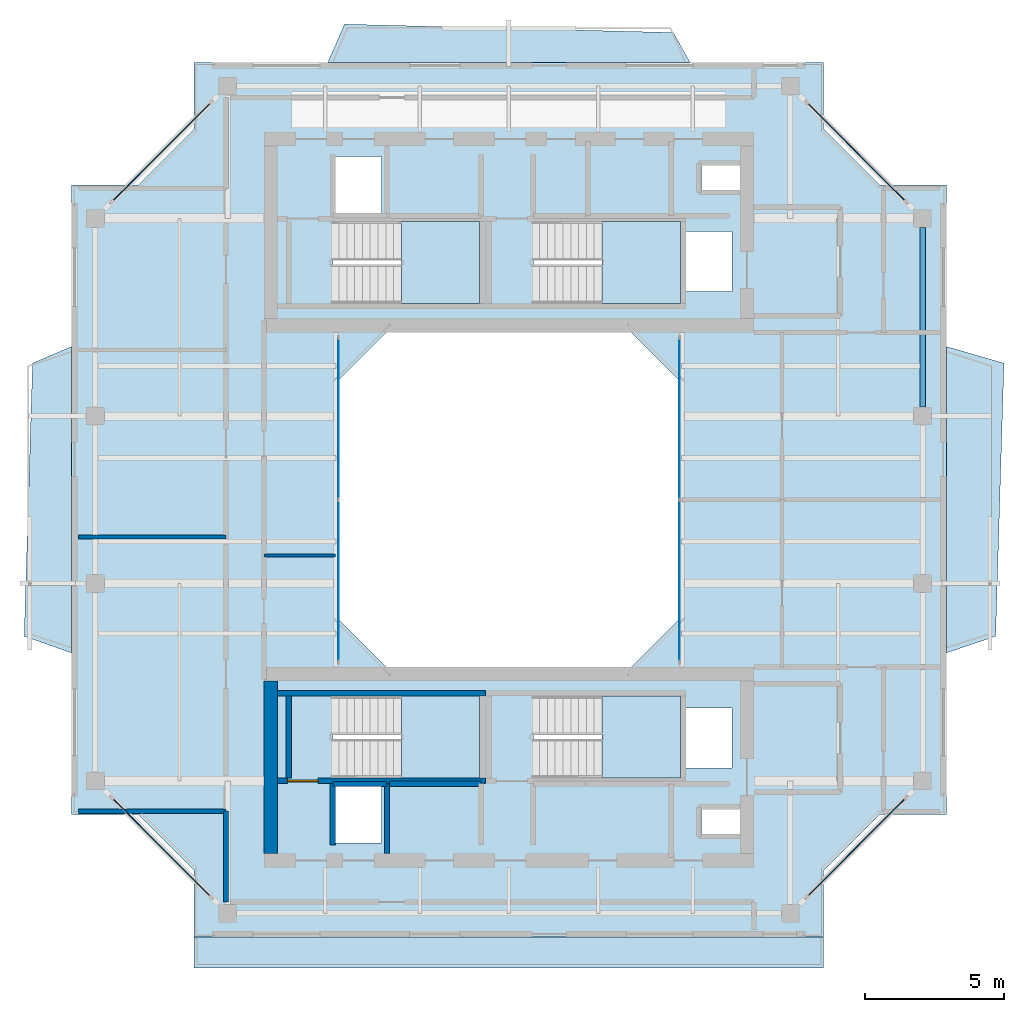
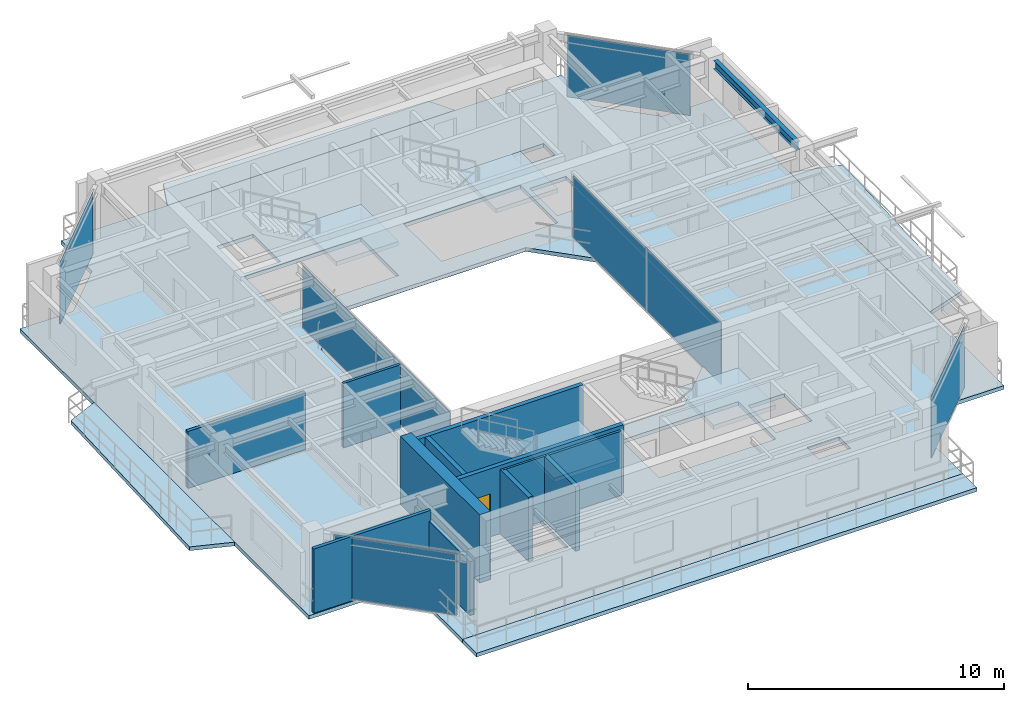
# One storey, part 8 of 15: 12 walls, 9 slabs, 8 plates, 1 beam, 1 door, 1 opening, 10 elements without a shape of their own.
"""IFC4 building model written with IfcOpenShell, lengths in metres."""

from ifc_helpers import new_model, si_unit, direction, frame, frame_2d, origin, origin_2d, place, context, subcontext, project, spatial, polyline, rectangle, i_section, outline, extrude, source, transform, mapped, material, layer, layer_set, material_profile, profile_set, type_object, element, fill, aggregate, save


model = new_model("IFC4")

# Units and contexts
model_context = context("Model", 3, precision=1e-05, world=origin(), true_north=direction((0.0, 1.0)))
body_context = subcontext(model_context, "Body", "Model", "MODEL_VIEW")
ifc_project = project(units=[si_unit("LENGTHUNIT", "METRE"), si_unit("AREAUNIT", "SQUARE_METRE"), si_unit("VOLUMEUNIT", "CUBIC_METRE"), si_unit("PLANEANGLEUNIT", "RADIAN"), si_unit("MASSUNIT", "GRAM", prefix="KILO"), si_unit("THERMODYNAMICTEMPERATUREUNIT", "KELVIN"), si_unit("POWERUNIT", "WATT")], contexts=[model_context])

# Site, building, storey
site_placement = place(None, origin())
site = spatial("IfcSite", under=ifc_project, at=site_placement, CompositionType="ELEMENT")
building_placement = place(site_placement, origin())
building = spatial("IfcBuilding", under=site, at=building_placement, Name="Qiaomeng Ring Towers", CompositionType="ELEMENT")
storey_placement = place(building_placement, frame((0.0, 0.0, 237.25)))
storey = spatial("IfcBuildingStorey", under=building, at=storey_placement, Name="L69", CompositionType="ELEMENT", Elevation=237.25)

# Beam
ifc_material_1 = material(Name="Steel Q355B", Category="steel")
ifc_material_profile = material_profile(ifc_material_1, i_section(OverallWidth=0.198974609375, OverallDepth=0.39599609375, WebThickness=0.007080078125, FlangeThickness=0.010986328125, FilletRadius=0.01611328125, at=origin_2d()), Name="HN 396x199x7x11")
ifc_profile_set = profile_set([ifc_material_profile], Name="Steel Q355B")
beam_type = type_object("IfcBeamType", Name="STR-BM-HN396", PredefinedType="SPANDREL", material=ifc_profile_set)
shared_shape_1 = source(origin(), body_context, "Body", "SweptSolid", [
    extrude(i_section(OverallWidth=0.198974609375, OverallDepth=0.39599609375, WebThickness=0.007080078125, FlangeThickness=0.010986328125, FilletRadius=0.01611328125, at=origin_2d()), origin(), (0.0, 0.0, 1.0), 6.451904296875),
])
beam_placement = place(storey_placement, frame((33.85009765625, 26.323974609375, 2.8720703125), z_axis=(0.0, 1.0, 0.0), x_axis=(-1.0, 0.0, 0.0)))
element("IfcBeam", 1, at=beam_placement, inside=storey, type_object=beam_type, Name="L69 beam STR-SP-L69-T1-E3-E4", PredefinedType="SPANDREL", context=body_context, shape_type="MappedRepresentation", body=[
    mapped(shared_shape_1, transform((0.0, 0.0, 0.0), x_axis=(1.0, 0.0, 0.0), y_axis=(0.0, 1.0, 0.0), z_axis=(0.0, 0.0, 1.0), scale=1.0)),
])

# Slabs
ifc_material_2 = material(Name="Concrete C40", Category="concrete")
ifc_layer_1 = layer(ifc_material_2, 0.179931640625, Name="Concrete C40")
ifc_layer_set_1 = layer_set([ifc_layer_1], Name="Concrete C40")
slab_type_1 = type_object("IfcSlabType", Name="STR-SL-180", PredefinedType="FLOOR", material=ifc_layer_set_1)
slab_1_placement = place(storey_placement, frame((0.0, 0.0, -0.179931640625)))
element("IfcSlab", 2, at=slab_1_placement, inside=storey, type_object=slab_type_1, Name="L69 Tower 1 Annular Floor Slab", PredefinedType="FLOOR", context=body_context, shape_type="SweptSolid", body=[
    extrude(outline(polyline([(7.699951171875, 7.300048828125), (30.300048828125, 7.300048828125), (30.300048828125, 9.699951171875), (32.300048828125, 11.699951171875), (34.699951171875, 11.699951171875), (34.699951171875, 34.300048828125), (32.300048828125, 34.300048828125), (30.300048828125, 36.300048828125), (30.300048828125, 38.699951171875), (7.699951171875, 38.699951171875), (7.699951171875, 36.300048828125), (5.699951171875, 34.300048828125), (3.300048828125, 34.300048828125), (3.300048828125, 11.699951171875), (5.699951171875, 11.699951171875), (7.699951171875, 9.699951171875), (7.699951171875, 7.300048828125)]), holes=[polyline([(12.780029296875, 10.679931640625), (12.780029296875, 12.820068359375), (14.419921875, 12.820068359375), (14.419921875, 10.679931640625), (12.780029296875, 10.679931640625)]), polyline([(12.679931640625, 13.010009765625), (12.679931640625, 15.949951171875), (17.949951171875, 15.949951171875), (17.949951171875, 13.010009765625), (12.679931640625, 13.010009765625)]), polyline([(23.199951171875, 29.199951171875), (25.199951171875, 27.199951171875), (25.199951171875, 18.800048828125), (23.199951171875, 16.800048828125), (14.800048828125, 16.800048828125), (12.800048828125, 18.800048828125), (12.800048828125, 27.199951171875), (14.800048828125, 29.199951171875), (23.199951171875, 29.199951171875)]), polyline([(12.679931640625, 32.989990234375), (17.949951171875, 32.989990234375), (17.949951171875, 30.050048828125), (12.679931640625, 30.050048828125), (12.679931640625, 32.989990234375)]), polyline([(19.8798828125, 32.989990234375), (25.14990234375, 32.989990234375), (25.14990234375, 30.050048828125), (19.8798828125, 30.050048828125), (19.8798828125, 32.989990234375)]), polyline([(12.780029296875, 33.179931640625), (12.780029296875, 35.320068359375), (14.419921875, 35.320068359375), (14.419921875, 33.179931640625), (12.780029296875, 33.179931640625)]), polyline([(25.919921875, 11.89990234375), (27.360107421875, 11.89990234375), (27.360107421875, 11.0), (25.919921875, 11.0), (25.919921875, 11.89990234375)]), polyline([(25.360107421875, 15.52001953125), (27.0, 15.52001953125), (27.0, 13.3798828125), (25.360107421875, 13.3798828125), (25.360107421875, 15.52001953125)]), polyline([(19.8798828125, 13.010009765625), (19.8798828125, 15.949951171875), (25.14990234375, 15.949951171875), (25.14990234375, 13.010009765625), (19.8798828125, 13.010009765625)]), polyline([(25.360107421875, 32.6201171875), (27.0, 32.6201171875), (27.0, 30.47998046875), (25.360107421875, 30.47998046875), (25.360107421875, 32.6201171875)]), polyline([(25.919921875, 35.0), (27.360107421875, 35.0), (27.360107421875, 34.10009765625), (25.919921875, 34.10009765625), (25.919921875, 35.0)])]), origin(), (0.0, 0.0, 1.0), 0.179931640625),
])
ifc_layer_2 = layer(ifc_material_2, 0.179931640625, Name="Concrete C40")
ifc_layer_set_2 = layer_set([ifc_layer_2], Name="Concrete C40")
slab_type_2 = type_object("IfcSlabType", Name="STR-SL-BAL", PredefinedType="FLOOR", material=ifc_layer_set_2)
slab_2_placement = place(storey_placement, frame((0.0, 0.0, -0.179931640625)))
element("IfcSlab", 3, at=slab_2_placement, inside=storey, type_object=slab_type_2, Name="L69 Tower 1 E Faceted Balcony Slab", PredefinedType="FLOOR", context=body_context, shape_type="SweptSolid", body=[
    extrude(outline(polyline([(36.77001953125, 27.89990234375), (36.469970703125, 18.10009765625), (34.699951171875, 17.5), (34.699951171875, 28.5), (36.77001953125, 27.89990234375)])), origin(), (0.0, 0.0, 1.0), 0.179931640625),
])
slab_3_placement = place(storey_placement, frame((0.0, 0.0, -0.179931640625)))
element("IfcSlab", 4, at=slab_3_placement, inside=storey, type_object=slab_type_2, Name="L69 Tower 1 N Faceted Balcony Slab", PredefinedType="FLOOR", context=body_context, shape_type="SweptSolid", body=[
    extrude(outline(polyline([(12.5, 38.699951171875), (13.10009765625, 40.070068359375), (24.89990234375, 39.77001953125), (25.5, 38.699951171875), (12.5, 38.699951171875)])), origin(), (0.0, 0.0, 1.0), 0.179931640625),
])
slab_4_placement = place(storey_placement, frame((0.0, 0.0, -0.179931640625)))
element("IfcSlab", 5, at=slab_4_placement, inside=storey, type_object=slab_type_2, Name="L69 Tower 1 W Faceted Balcony Slab", PredefinedType="FLOOR", context=body_context, shape_type="SweptSolid", body=[
    extrude(outline(polyline([(1.60009765625, 18.10009765625), (1.89990234375, 27.89990234375), (3.300048828125, 28.5), (3.300048828125, 17.5), (1.60009765625, 18.10009765625)])), origin(), (0.0, 0.0, 1.0), 0.179931640625),
])

# Stair, slab
ifc_material_3 = material(Name="Precast concrete C40", Category="concrete")
stair_type = type_object("IfcStairType", Name="ARC-ST-325", PredefinedType="HALF_TURN_STAIR", material=ifc_material_3)
stair_1_placement = place(storey_placement, origin())
stair_1 = element("IfcStair", 6, at=stair_1_placement, inside=storey, type_object=stair_type, Name="L69 Tower 1 North Stair 1", PredefinedType="HALF_TURN_STAIR")
ifc_layer_3 = layer(ifc_material_2, 0.199951171875, Name="Concrete C40")
ifc_layer_set_3 = layer_set([ifc_layer_3], Name="Concrete C40")
slab_type_3 = type_object("IfcSlabType", Name="STR-SL-LANDING", PredefinedType="LANDING", material=ifc_layer_set_3)
slab_5_placement = place(storey_placement, frame((0.0, 0.0, 1.425048828125)))
slab_5 = element("IfcSlab", 7, at=slab_5_placement, type_object=slab_type_3, Name="ST1 landing 1", PredefinedType="LANDING", context=body_context, shape_type="SweptSolid", body=[
    extrude(outline(polyline([(15.139892578125, 30.050048828125), (17.949951171875, 30.050048828125), (17.949951171875, 32.989990234375), (15.139892578125, 32.989990234375), (15.139892578125, 30.050048828125)])), origin(), (0.0, 0.0, 1.0), 0.199951171875),
])
aggregate(stair_1, [slab_5])

stair_2_placement = place(storey_placement, origin())
stair_2 = element("IfcStair", 8, at=stair_2_placement, inside=storey, type_object=stair_type, Name="L69 Tower 1 North Stair 2", PredefinedType="HALF_TURN_STAIR")
slab_6_placement = place(storey_placement, frame((0.0, 0.0, 1.425048828125)))
slab_6 = element("IfcSlab", 9, at=slab_6_placement, type_object=slab_type_3, Name="ST2 landing 1", PredefinedType="LANDING", context=body_context, shape_type="SweptSolid", body=[
    extrude(outline(polyline([(22.340087890625, 30.050048828125), (25.14990234375, 30.050048828125), (25.14990234375, 32.989990234375), (22.340087890625, 32.989990234375), (22.340087890625, 30.050048828125)])), origin(), (0.0, 0.0, 1.0), 0.199951171875),
])
aggregate(stair_2, [slab_6])

stair_3_placement = place(storey_placement, origin())
stair_3 = element("IfcStair", 10, at=stair_3_placement, inside=storey, type_object=stair_type, Name="L69 Tower 1 South Stair 3", PredefinedType="HALF_TURN_STAIR")
slab_7_placement = place(storey_placement, frame((0.0, 0.0, 1.425048828125)))
slab_7 = element("IfcSlab", 11, at=slab_7_placement, type_object=slab_type_3, Name="ST3 landing 1", PredefinedType="LANDING", context=body_context, shape_type="SweptSolid", body=[
    extrude(outline(polyline([(15.139892578125, 13.010009765625), (17.949951171875, 13.010009765625), (17.949951171875, 15.949951171875), (15.139892578125, 15.949951171875), (15.139892578125, 13.010009765625)])), origin(), (0.0, 0.0, 1.0), 0.199951171875),
])
aggregate(stair_3, [slab_7])

stair_4_placement = place(storey_placement, origin())
stair_4 = element("IfcStair", 12, at=stair_4_placement, inside=storey, type_object=stair_type, Name="L69 Tower 1 South Stair 4", PredefinedType="HALF_TURN_STAIR")
slab_8_placement = place(storey_placement, frame((0.0, 0.0, 1.425048828125)))
slab_8 = element("IfcSlab", 13, at=slab_8_placement, type_object=slab_type_3, Name="ST4 landing 1", PredefinedType="LANDING", context=body_context, shape_type="SweptSolid", body=[
    extrude(outline(polyline([(22.340087890625, 13.010009765625), (25.14990234375, 13.010009765625), (25.14990234375, 15.949951171875), (22.340087890625, 15.949951171875), (22.340087890625, 13.010009765625)])), origin(), (0.0, 0.0, 1.0), 0.199951171875),
])
aggregate(stair_4, [slab_8])

# Slab
ifc_layer_4 = layer(ifc_material_2, 0.179931640625, Name="Concrete C40")
ifc_layer_set_4 = layer_set([ifc_layer_4], Name="Concrete C40")
slab_type_4 = type_object("IfcSlabType", Name="STR-SL-TERR180", PredefinedType="FLOOR", material=ifc_layer_set_4)
slab_9_placement = place(storey_placement, frame((0.0, 0.0, -0.179931640625)))
element("IfcSlab", 14, at=slab_9_placement, inside=storey, type_object=slab_type_4, Name="L69 Tower 1 Setback Sky Terrace Slab", PredefinedType="FLOOR", context=body_context, shape_type="SweptSolid", body=[
    extrude(outline(polyline([(30.300048828125, 7.300048828125), (30.300048828125, 6.199951171875), (7.699951171875, 6.199951171875), (7.699951171875, 7.300048828125), (30.300048828125, 7.300048828125), (30.300048828125, 7.300048828125), (30.300048828125, 7.300048828125)])), origin(), (0.0, 0.0, 1.0), 0.179931640625),
])

# Curtain wall, plates
ifc_material_4 = material(Name="Fluorocarbon dark-grey aluminium", Category="aluminium")
ifc_layer_5 = layer(ifc_material_4, 0.139892578125, Name="Fluorocarbon dark-grey aluminium")
ifc_layer_set_5 = layer_set([ifc_layer_5], Name="Fluorocarbon dark-grey aluminium")
curtain_wall_type_1 = type_object("IfcCurtainWallType", Name="ARC-CW-4", PredefinedType="NOTDEFINED", material=ifc_layer_set_5)
curtain_wall_1_placement = place(storey_placement, origin())
curtain_wall_1 = element("IfcCurtainWall", 15, at=curtain_wall_1_placement, inside=storey, type_object=curtain_wall_type_1, Name="L69 Curtain Wall CW4", PredefinedType="NOTDEFINED")
ifc_material_5 = material(Name="Low-E dark-grey laminated double glazing", Category="glass")
ifc_layer_6 = layer(ifc_material_5, 0.028076171875, Name="Low-E dark-grey laminated double glazing")
ifc_layer_set_6 = layer_set([ifc_layer_6], Name="Low-E dark-grey laminated double glazing")
plate_type = type_object("IfcPlateType", Name="ARC-CWP-DARK", PredefinedType="CURTAIN_PANEL", material=ifc_layer_set_6)
shared_shape_2 = source(origin(), body_context, "Body", "SweptSolid", [
    extrude(rectangle(XDim=5.75244140625, YDim=0.028076171875, at=origin_2d()), origin(), (0.0, 0.0, 1.0), 2.93994140625),
])
plate_1_placement = place(storey_placement, frame((12.8798828125, 20.09130859375, 0.06494140625), z_axis=(0.0, 0.0, 1.0), x_axis=(0.0, 1.0, 0.0)))
plate_1 = element("IfcPlate", 16, at=plate_1_placement, type_object=plate_type, Name="CW4 panel 1.1", PredefinedType="CURTAIN_PANEL", context=body_context, shape_type="MappedRepresentation", body=[
    mapped(shared_shape_2, transform((0.0, 0.0, 0.0), x_axis=(1.0, 0.0, 0.0), y_axis=(0.0, 1.0, 0.0), z_axis=(0.0, 0.0, 1.0), scale=1.0)),
])
plate_2_placement = place(storey_placement, frame((12.8798828125, 25.90869140625, 0.06494140625), z_axis=(0.0, 0.0, 1.0), x_axis=(0.0, 1.0, 0.0)))
plate_2 = element("IfcPlate", 17, at=plate_2_placement, type_object=plate_type, Name="CW4 panel 2.1", PredefinedType="CURTAIN_PANEL", context=body_context, shape_type="MappedRepresentation", body=[
    mapped(shared_shape_2, transform((0.0, 0.0, 0.0), x_axis=(1.0, 0.0, 0.0), y_axis=(0.0, 1.0, 0.0), z_axis=(0.0, 0.0, 1.0), scale=1.0)),
])
aggregate(curtain_wall_1, [plate_1, plate_2])

curtain_wall_2_placement = place(storey_placement, origin())
curtain_wall_2 = element("IfcCurtainWall", 18, at=curtain_wall_2_placement, inside=storey, type_object=curtain_wall_type_1, Name="L69 Curtain Wall CW4", PredefinedType="NOTDEFINED")
plate_3_placement = place(storey_placement, frame((25.1201171875, 20.09130859375, 0.06494140625), z_axis=(0.0, 0.0, 1.0), x_axis=(0.0, 1.0, 0.0)))
plate_3 = element("IfcPlate", 19, at=plate_3_placement, type_object=plate_type, Name="CW4 panel 1.1", PredefinedType="CURTAIN_PANEL", context=body_context, shape_type="MappedRepresentation", body=[
    mapped(shared_shape_2, transform((0.0, 0.0, 0.0), x_axis=(1.0, 0.0, 0.0), y_axis=(0.0, 1.0, 0.0), z_axis=(0.0, 0.0, 1.0), scale=1.0)),
])
plate_4_placement = place(storey_placement, frame((25.1201171875, 25.90869140625, 0.06494140625), z_axis=(0.0, 0.0, 1.0), x_axis=(0.0, 1.0, 0.0)))
plate_4 = element("IfcPlate", 20, at=plate_4_placement, type_object=plate_type, Name="CW4 panel 2.1", PredefinedType="CURTAIN_PANEL", context=body_context, shape_type="MappedRepresentation", body=[
    mapped(shared_shape_2, transform((0.0, 0.0, 0.0), x_axis=(1.0, 0.0, 0.0), y_axis=(0.0, 1.0, 0.0), z_axis=(0.0, 0.0, 1.0), scale=1.0)),
])
aggregate(curtain_wall_2, [plate_3, plate_4])

# Curtain wall, plate
ifc_layer_7 = layer(ifc_material_4, 0.14990234375, Name="Fluorocarbon dark-grey aluminium")
ifc_layer_set_7 = layer_set([ifc_layer_7], Name="Fluorocarbon dark-grey aluminium")
curtain_wall_type_2 = type_object("IfcCurtainWallType", Name="ARC-CW-3", PredefinedType="NOTDEFINED", material=ifc_layer_set_7)
curtain_wall_3_placement = place(storey_placement, origin())
curtain_wall_3 = element("IfcCurtainWall", 21, at=curtain_wall_3_placement, inside=storey, type_object=curtain_wall_type_2, Name="L69 Curtain Wall CW3", PredefinedType="NOTDEFINED")
shared_shape_3 = source(origin(), body_context, "Body", "SweptSolid", [
    extrude(rectangle(XDim=4.9794921875, YDim=0.028076171875, at=origin_2d()), origin(), (0.0, 0.0, 1.0), 2.93994140625),
])
plate_5_placement = place(storey_placement, frame((31.47509765625, 10.52490234375, 0.06494140625), z_axis=(0.0, 0.0, 1.0), x_axis=(0.707106781187, 0.707106781187, 0.0)))
plate_5 = element("IfcPlate", 22, at=plate_5_placement, type_object=plate_type, Name="CW3 panel 1.1", PredefinedType="CURTAIN_PANEL", context=body_context, shape_type="MappedRepresentation", body=[
    mapped(shared_shape_3, transform((0.0, 0.0, 0.0), x_axis=(1.0, 0.0, 0.0), y_axis=(0.0, 1.0, 0.0), z_axis=(0.0, 0.0, 1.0), scale=1.0)),
])
aggregate(curtain_wall_3, [plate_5])

curtain_wall_4_placement = place(storey_placement, origin())
curtain_wall_4 = element("IfcCurtainWall", 23, at=curtain_wall_4_placement, inside=storey, type_object=curtain_wall_type_2, Name="L69 Curtain Wall CW3", PredefinedType="NOTDEFINED")
plate_6_placement = place(storey_placement, frame((31.47509765625, 35.47509765625, 0.06494140625), z_axis=(0.0, 0.0, 1.0), x_axis=(-0.707106781187, 0.707106781187, 0.0)))
plate_6 = element("IfcPlate", 24, at=plate_6_placement, type_object=plate_type, Name="CW3 panel 1.1", PredefinedType="CURTAIN_PANEL", context=body_context, shape_type="MappedRepresentation", body=[
    mapped(shared_shape_3, transform((0.0, 0.0, 0.0), x_axis=(1.0, 0.0, 0.0), y_axis=(0.0, 1.0, 0.0), z_axis=(0.0, 0.0, 1.0), scale=1.0)),
])
aggregate(curtain_wall_4, [plate_6])

curtain_wall_5_placement = place(storey_placement, origin())
curtain_wall_5 = element("IfcCurtainWall", 25, at=curtain_wall_5_placement, inside=storey, type_object=curtain_wall_type_2, Name="L69 Curtain Wall CW3", PredefinedType="NOTDEFINED")
plate_7_placement = place(storey_placement, frame((6.52490234375, 35.47509765625, 0.06494140625), z_axis=(0.0, 0.0, 1.0), x_axis=(-0.707106781187, -0.707106781187, 0.0)))
plate_7 = element("IfcPlate", 26, at=plate_7_placement, type_object=plate_type, Name="CW3 panel 1.1", PredefinedType="CURTAIN_PANEL", context=body_context, shape_type="MappedRepresentation", body=[
    mapped(shared_shape_3, transform((0.0, 0.0, 0.0), x_axis=(1.0, 0.0, 0.0), y_axis=(0.0, 1.0, 0.0), z_axis=(0.0, 0.0, 1.0), scale=1.0)),
])
aggregate(curtain_wall_5, [plate_7])

curtain_wall_6_placement = place(storey_placement, origin())
curtain_wall_6 = element("IfcCurtainWall", 27, at=curtain_wall_6_placement, inside=storey, type_object=curtain_wall_type_2, Name="L69 Curtain Wall CW3", PredefinedType="NOTDEFINED")
plate_8_placement = place(storey_placement, frame((6.52490234375, 10.52490234375, 0.06494140625), z_axis=(0.0, 0.0, 1.0), x_axis=(0.707106781187, -0.707106781187, 0.0)))
plate_8 = element("IfcPlate", 28, at=plate_8_placement, type_object=plate_type, Name="CW3 panel 1.1", PredefinedType="CURTAIN_PANEL", context=body_context, shape_type="MappedRepresentation", body=[
    mapped(shared_shape_3, transform((0.0, 0.0, 0.0), x_axis=(1.0, 0.0, 0.0), y_axis=(0.0, 1.0, 0.0), z_axis=(0.0, 0.0, 1.0), scale=1.0)),
])
aggregate(curtain_wall_6, [plate_8])

# Walls
ifc_material_6 = material(Name="Autoclaved aerated concrete block", Category="concrete")
ifc_layer_8 = layer(ifc_material_6, 0.199951171875, Name="Autoclaved aerated concrete block")
ifc_layer_set_8 = layer_set([ifc_layer_8], Name="Autoclaved aerated concrete block")
wall_type_1 = type_object("IfcWallType", Name="ARC-WL-PW1", PredefinedType="PARTITIONING", material=ifc_layer_set_8)
wall_1_placement = place(storey_placement, frame((12.679931640625, 10.60009765625, 0.0), z_axis=(0.0, 0.0, 1.0), x_axis=(0.0, 1.0, 0.0)))
element("IfcWall", 29, at=wall_1_placement, inside=storey, type_object=wall_type_1, Name="L69 Interior Wall PW1", PredefinedType="PARTITIONING", context=body_context, shape_type="SweptSolid", body=[
    extrude(rectangle(XDim=2.2099609375, YDim=0.199951171875, at=frame_2d((1.10498046875, 0.0))), origin(), (0.0, 0.0, 1.0), 3.070068359375),
])
wall_2_placement = place(storey_placement, frame((14.719970703125, 12.800048828125, 0.0), z_axis=(0.0, 0.0, 1.0), x_axis=(1.0, 0.0, 0.0)))
element("IfcWall", 30, at=wall_2_placement, inside=storey, type_object=wall_type_1, Name="L69 Interior Wall PW1", PredefinedType="PARTITIONING", context=body_context, shape_type="SweptSolid", body=[
    extrude(rectangle(XDim=3.280029296875, YDim=0.199951171875, at=frame_2d((1.64013671875, 0.0))), origin(), (0.0, 0.0, 1.0), 3.070068359375),
])
ifc_layer_9 = layer(ifc_material_6, 0.179931640625, Name="Autoclaved aerated concrete block")
ifc_layer_set_9 = layer_set([ifc_layer_9], Name="Autoclaved aerated concrete block")
wall_type_2 = type_object("IfcWallType", Name="ARC-WL-PW2", PredefinedType="PARTITIONING", material=ifc_layer_set_9)
wall_3_placement = place(storey_placement, frame((8.85009765625, 8.56005859375, 0.0), z_axis=(0.0, 0.0, 1.0), x_axis=(0.0, 1.0, 0.0)))
element("IfcWall", 31, at=wall_3_placement, inside=storey, type_object=wall_type_2, Name="L69 Interior Wall PW2", PredefinedType="PARTITIONING", context=body_context, shape_type="SweptSolid", body=[
    extrude(rectangle(XDim=3.260009765625, YDim=0.179931640625, at=frame_2d((1.6298828125, 0.0))), origin(), (0.0, 0.0, 1.0), 2.569091796875),
])
ifc_material_7 = material(Name="Gypsum fireboard steel-stud partition", Category="steel")
ifc_layer_10 = layer(ifc_material_7, 0.14990234375, Name="Gypsum fireboard steel-stud partition")
ifc_layer_set_10 = layer_set([ifc_layer_10], Name="Gypsum fireboard steel-stud partition")
wall_type_3 = type_object("IfcWallType", Name="ARC-WL-PW3", PredefinedType="PARTITIONING", material=ifc_layer_set_10)
wall_4_placement = place(storey_placement, frame((3.550048828125, 11.820068359375, 0.0), z_axis=(0.0, 0.0, 1.0), x_axis=(1.0, 0.0, 0.0)))
element("IfcWall", 32, at=wall_4_placement, inside=storey, type_object=wall_type_3, Name="L69 Interior Wall PW3", PredefinedType="PARTITIONING", context=body_context, shape_type="SweptSolid", body=[
    extrude(rectangle(XDim=5.300048828125, YDim=0.14990234375, at=frame_2d((2.64990234375, 0.0))), origin(), (0.0, 0.0, 1.0), 3.070068359375),
])
wall_5_placement = place(storey_placement, frame((3.550048828125, 21.659912109375, 0.0), z_axis=(0.0, 0.0, 1.0), x_axis=(1.0, 0.0, 0.0)))
element("IfcWall", 33, at=wall_5_placement, inside=storey, type_object=wall_type_3, Name="L69 Interior Wall PW3", PredefinedType="PARTITIONING", context=body_context, shape_type="SweptSolid", body=[
    extrude(rectangle(XDim=5.300048828125, YDim=0.14990234375, at=frame_2d((2.64990234375, 0.0))), origin(), (0.0, 0.0, 1.0), 2.715087890625),
])
ifc_material_8 = material(Name="Moisture-resistant gypsum steel-stud partition", Category="steel")
ifc_layer_11 = layer(ifc_material_8, 0.1201171875, Name="Moisture-resistant gypsum steel-stud partition")
ifc_layer_set_11 = layer_set([ifc_layer_11], Name="Moisture-resistant gypsum steel-stud partition")
wall_type_4 = type_object("IfcWallType", Name="ARC-WL-PW4", PredefinedType="PLUMBINGWALL", material=ifc_layer_set_11)
wall_6_placement = place(storey_placement, frame((10.199951171875, 21.0, 0.0), z_axis=(0.0, 0.0, 1.0), x_axis=(1.0, 0.0, 0.0)))
element("IfcWall", 34, at=wall_6_placement, inside=storey, type_object=wall_type_4, Name="L69 Interior Wall PW4", PredefinedType="PLUMBINGWALL", context=body_context, shape_type="SweptSolid", body=[
    extrude(rectangle(XDim=2.580078125, YDim=0.1201171875, at=frame_2d((1.2900390625, 0.0))), origin(), (0.0, 0.0, 1.0), 3.070068359375),
])
ifc_layer_12 = layer(ifc_material_2, 0.199951171875, Name="Concrete C40")
ifc_layer_set_12 = layer_set([ifc_layer_12], Name="Concrete C40")
wall_type_5 = type_object("IfcWallType", Name="STR-WL-STSHAFT", PredefinedType="SHEAR", material=ifc_layer_set_12)
wall_7_placement = place(storey_placement, frame((12.679931640625, 12.800048828125, 0.0), z_axis=(0.0, 0.0, 1.0), x_axis=(1.0, 0.0, 0.0)))
element("IfcWall", 35, at=wall_7_placement, inside=storey, type_object=wall_type_5, Name="L69 Lift LP6 Shaft Back Wall", PredefinedType="SHEAR", context=body_context, shape_type="SweptSolid", body=[
    extrude(rectangle(XDim=1.940185546875, YDim=0.179931640625, at=frame_2d((0.97021484375, 0.0))), origin(), (0.0, 0.0, 1.0), 3.070068359375),
])
wall_8_placement = place(storey_placement, frame((14.6201171875, 10.300048828125, 0.0), z_axis=(0.0, 0.0, 1.0), x_axis=(0.0, 1.0, 0.0)))
element("IfcWall", 36, at=wall_8_placement, inside=storey, type_object=wall_type_5, Name="L69 Lift LP6-LP4 Shaft Divider Wall", PredefinedType="SHEAR", context=body_context, shape_type="SweptSolid", body=[
    extrude(rectangle(XDim=2.5, YDim=0.179931640625, at=frame_2d((1.25, 0.0))), origin(), (0.0, 0.0, 1.0), 3.070068359375),
])

# Wall, opening, door
wall_9_placement = place(storey_placement, frame((10.699951171875, 12.909912109375, 0.0), z_axis=(0.0, 0.0, 1.0), x_axis=(1.0, 0.0, 0.0)))
wall_9 = element("IfcWall", 37, at=wall_9_placement, inside=storey, type_object=wall_type_5, Name="L69 Stair ST3 South Shaft Shear Wall", PredefinedType="SHEAR", context=body_context, shape_type="SweptSolid", body=[
    extrude(rectangle(XDim=7.449951171875, YDim=0.199951171875, at=frame_2d((3.72509765625, 0.0))), origin(), (0.0, 0.0, 1.0), 3.25),
])
opening_placement = place(wall_9_placement, frame((0.35009765625, 0.0, 0.0)))
opening = element("IfcOpeningElement", 38, at=opening_placement, cuts=wall_9, Name="Opening FD3", PredefinedType="OPENING", context=body_context, shape_type="SweptSolid", body=[
    extrude(rectangle(XDim=1.10009765625, YDim=2.050048828125, at=frame_2d((0.550048828125, 1.02490234375))), frame((0.0, 0.10986328125, 0.0), z_axis=(0.0, -1.0, 0.0), x_axis=(1.0, 0.0, 0.0)), (0.0, 0.0, 1.0), 0.219970703125),
])
ifc_material_9 = material(Name="Galvanised steel", Category="steel")
door_type = type_object("IfcDoorType", Name="ARC-DR-FD3", OperationType="NOTDEFINED", PredefinedType="DOOR", material=ifc_material_9)
shared_shape_4 = source(origin(), body_context, "Body", "SweptSolid", [
    extrude(rectangle(XDim=1.10009765625, YDim=2.050048828125, at=frame_2d((0.550048828125, 1.02490234375))), frame((0.0, 0.02490234375, 0.0), z_axis=(0.0, -1.0, 0.0), x_axis=(1.0, 0.0, 0.0)), (0.0, 0.0, 1.0), 0.050048828125),
])
door_placement = place(opening_placement, frame((1.10009765625, 0.0, 0.0), z_axis=(0.0, 0.0, 1.0), x_axis=(-1.0, 0.0, 0.0)))
door = element("IfcDoor", 39, at=door_placement, inside=storey, type_object=door_type, Name="L69 Stair ST3 Exit Door", OperationType="SINGLE_SWING_LEFT", OverallHeight=2.050048828125, OverallWidth=1.10009765625, PredefinedType="DOOR", context=body_context, shape_type="MappedRepresentation", body=[
    mapped(shared_shape_4, transform((0.0, 0.0, 0.0), x_axis=(1.0, 0.0, 0.0), y_axis=(0.0, 1.0, 0.0), z_axis=(0.0, 0.0, 1.0), scale=1.0)),
])
fill(opening, door)

# Walls
wall_10_placement = place(storey_placement, frame((10.699951171875, 16.050048828125, 0.0), z_axis=(0.0, 0.0, 1.0), x_axis=(1.0, 0.0, 0.0)))
element("IfcWall", 40, at=wall_10_placement, inside=storey, type_object=wall_type_5, Name="L69 Stair ST3 North Shaft Shear Wall", PredefinedType="SHEAR", context=body_context, shape_type="SweptSolid", body=[
    extrude(rectangle(XDim=7.449951171875, YDim=0.199951171875, at=frame_2d((3.72509765625, 0.0))), origin(), (0.0, 0.0, 1.0), 3.25),
])
wall_11_placement = place(storey_placement, frame((11.10009765625, 13.010009765625, 0.0), z_axis=(0.0, 0.0, 1.0), x_axis=(0.0, 1.0, 0.0)))
element("IfcWall", 41, at=wall_11_placement, inside=storey, type_object=wall_type_5, Name="L69 Stair ST3 West Shaft Shear Wall", PredefinedType="SHEAR", context=body_context, shape_type="SweptSolid", body=[
    extrude(rectangle(XDim=2.93994140625, YDim=0.199951171875, at=frame_2d((1.469970703125, 0.0))), origin(), (0.0, 0.0, 1.0), 3.25),
])
ifc_layer_13 = layer(ifc_material_2, 0.5, Name="Concrete C40")
ifc_layer_set_13 = layer_set([ifc_layer_13], Name="Concrete C40")
wall_type_6 = type_object("IfcWallType", Name="STR-WL-SW3", PredefinedType="SHEAR", material=ifc_layer_set_13)
wall_12_placement = place(storey_placement, frame((10.449951171875, 10.300048828125, 0.0), z_axis=(0.0, 0.0, 1.0), x_axis=(0.0, 1.0, 0.0)))
element("IfcWall", 42, at=wall_12_placement, inside=storey, type_object=wall_type_6, Name="L69 T1SC west core shear wall", PredefinedType="SHEAR", context=body_context, shape_type="SweptSolid", body=[
    extrude(rectangle(XDim=6.199951171875, YDim=0.5, at=frame_2d((3.10009765625, 0.0))), origin(), (0.0, 0.0, 1.0), 3.25),
])

save(model, "model.ifc")
